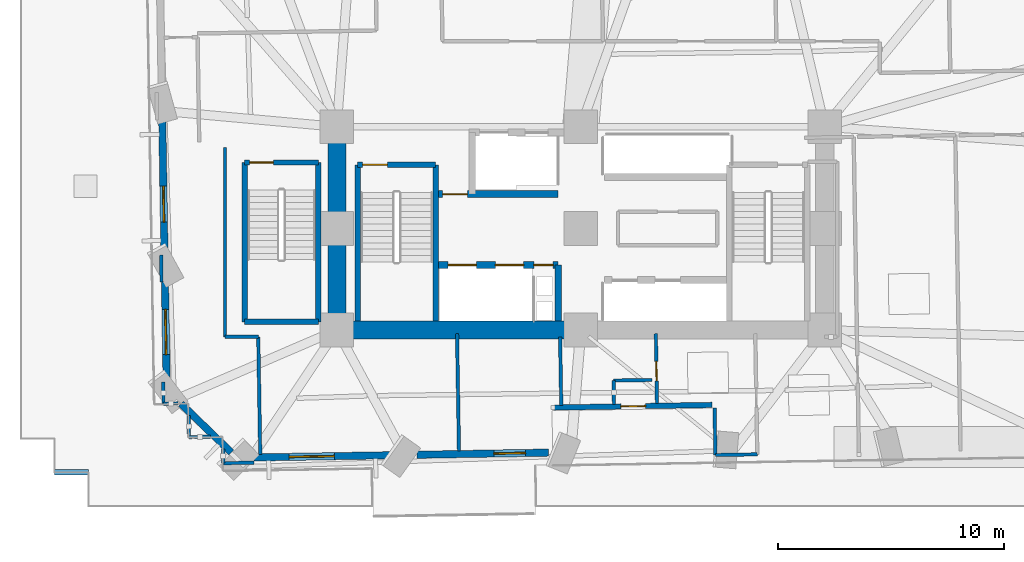
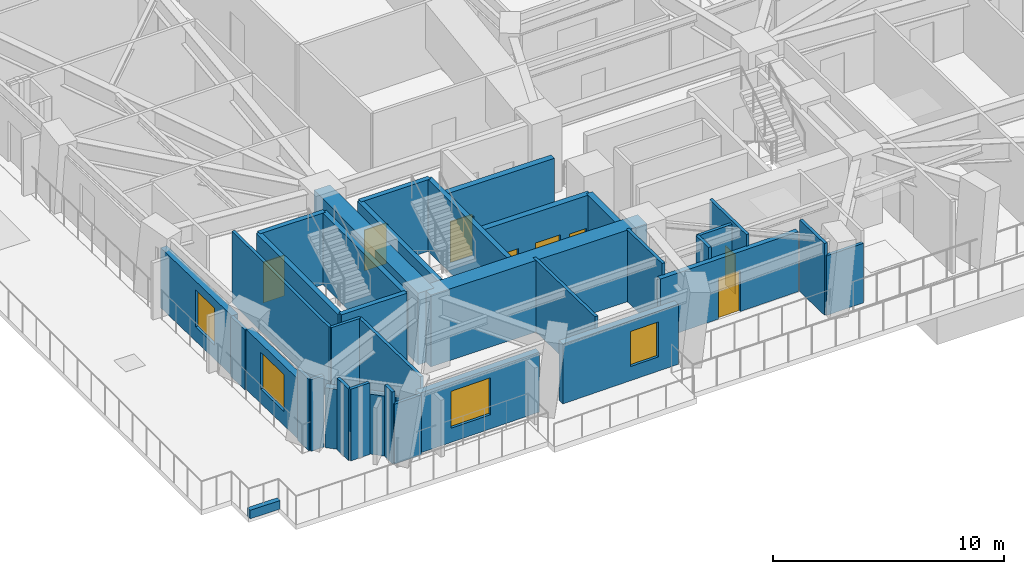
# One storey, part 6 of 17: 36 walls, 8 doors, 4 windows, 12 openings.
"""IFC4 building model written with IfcOpenShell, lengths in metres."""

from ifc_helpers import new_model, si_unit, direction, frame, frame_2d, origin, place, context, subcontext, project, spatial, rectangle, extrude, material, layer, layer_set, type_object, element, fill, save


model = new_model("IFC4")

# Units and contexts
model_context = context("Model", 3, precision=1e-05, world=origin(), true_north=direction((0.0, 1.0)))
body_context = subcontext(model_context, "Body", "Model", "MODEL_VIEW")
ifc_project = project(units=[si_unit("LENGTHUNIT", "METRE"), si_unit("AREAUNIT", "SQUARE_METRE"), si_unit("VOLUMEUNIT", "CUBIC_METRE"), si_unit("PLANEANGLEUNIT", "RADIAN"), si_unit("MASSUNIT", "GRAM", prefix="KILO")], contexts=[model_context])

# Site, building, storey
site_placement = place(None, origin())
site = spatial("IfcSite", under=ifc_project, at=site_placement, CompositionType="ELEMENT")
building_placement = place(site_placement, origin())
building = spatial("IfcBuilding", under=site, at=building_placement, Name="Gaonmaruhae Medical Tower", CompositionType="ELEMENT")
storey_placement = place(building_placement, frame((0.0, 0.0, 27.0)))
storey = spatial("IfcBuildingStorey", under=building, at=storey_placement, Name="L05", CompositionType="ELEMENT", Elevation=27.0)

# Walls
ifc_material_1 = material(Name="Concrete C60/75", Category="concrete")
ifc_layer_1 = layer(ifc_material_1, 0.800048828125)
ifc_layer_set_1 = layer_set([ifc_layer_1], Name="Concrete C60/75")
wall_type_1 = type_object("IfcWallType", Name="CW-800 Lower Core Shear Wall", PredefinedType="SHEAR", material=ifc_layer_set_1)
wall_1_placement = place(storey_placement, frame((14.0, 7.800048828125, 0.0), z_axis=(0.0, 0.0, 1.0), x_axis=(1.0, 0.0, 0.0)))
element("IfcWall", 1, at=wall_1_placement, inside=storey, type_object=wall_type_1, Name="L05 Core Shear Wall CSW-S1", PredefinedType="SHEAR", context=body_context, shape_type="SweptSolid", body=[
    extrude(rectangle(XDim=10.800048828125, YDim=0.800048828125, at=frame_2d((5.39990234375, 0.0))), origin(), (0.0, 0.0, 1.0), 3.780029296875),
])
wall_2_placement = place(storey_placement, frame((14.0, 16.800048828125, 0.0), z_axis=(0.0, 0.0, 1.0), x_axis=(0.0, -1.0, 0.0)))
element("IfcWall", 2, at=wall_2_placement, inside=storey, type_object=wall_type_1, Name="L05 Core Shear Wall CSW-W1", PredefinedType="SHEAR", context=body_context, shape_type="SweptSolid", body=[
    extrude(rectangle(XDim=9.0, YDim=0.800048828125, at=frame_2d((4.5, 0.0))), origin(), (0.0, 0.0, 1.0), 3.780029296875),
])

# Wall, opening, door
ifc_material_2 = material(Name="Precast concrete C45/55", Category="concrete")
ifc_layer_2 = layer(ifc_material_2, 0.239990234375)
ifc_layer_set_2 = layer_set([ifc_layer_2], Name="Precast concrete C45/55")
wall_type_2 = type_object("IfcWallType", Name="EW-240 Ribbon & Shelter Insulated Precast Wall", PredefinedType="SOLIDWALL", material=ifc_layer_set_2)
wall_3_placement = place(storey_placement, frame((30.602294921875, 4.487548828125, 0.0), z_axis=(0.0, 0.0, 1.0), x_axis=(-0.999862345318, -0.016591877959, 0.0)))
wall_3 = element("IfcWall", 3, at=wall_3_placement, inside=storey, type_object=wall_type_2, Name="L05 Recessed Terrace Enclosure Wall TERB", PredefinedType="SOLIDWALL", context=body_context, shape_type="SweptSolid", body=[
    extrude(rectangle(XDim=6.9599609375, YDim=0.239990234375, at=frame_2d((3.47998046875, 0.0))), origin(), (0.0, 0.0, 1.0), 3.1650390625),
])
opening_1_placement = place(wall_3_placement, frame((2.929931640625, 0.0, 0.0)))
opening_1 = element("IfcOpeningElement", 4, at=opening_1_placement, cuts=wall_3, Name="Opening TD-01", PredefinedType="OPENING", context=body_context, shape_type="SweptSolid", body=[
    extrude(rectangle(XDim=1.10009765625, YDim=2.14990234375, at=frame_2d((0.550048828125, 1.074951171875))), frame((0.0, 0.1298828125, 0.0), z_axis=(0.0, -1.0, 0.0), x_axis=(1.0, 0.0, 0.0)), (0.0, 0.0, 1.0), 0.260009765625),
])
ifc_material_3 = material(Name="Anodised aluminium and toughened safety glass", Category="aluminium")
door_type_1 = type_object("IfcDoorType", Name="TD-01 Terrace & Sky Garden Glazed Door 1100x2150", OperationType="NOTDEFINED", PredefinedType="DOOR", material=ifc_material_3)
door_1_placement = place(opening_1_placement, origin())
door_1 = element("IfcDoor", 5, at=door_1_placement, inside=storey, type_object=door_type_1, Name="L05 Outdoor Terrace Access Door SLB-L05-TER", OperationType="SINGLE_SWING_LEFT", OverallHeight=2.14990234375, OverallWidth=1.10009765625, PredefinedType="DOOR", context=body_context, shape_type="SweptSolid", body=[
    extrude(rectangle(XDim=1.10009765625, YDim=2.14990234375, at=frame_2d((0.550048828125, 1.074951171875))), frame((0.0, 0.02490234375, 0.0), z_axis=(0.0, -1.0, 0.0), x_axis=(1.0, 0.0, 0.0)), (0.0, 0.0, 1.0), 0.050048828125),
])
fill(opening_1, door_1)

# Wall, opening, window
ifc_layer_3 = layer(ifc_material_2, 0.320068359375)
ifc_layer_set_3 = layer_set([ifc_layer_3], Name="Precast concrete C45/55")
wall_type_3 = type_object("IfcWallType", Name="EW-320 Lower Precast Masonry-Frame Facade Wall", PredefinedType="SOLIDWALL", material=ifc_layer_set_3)
wall_4_placement = place(storey_placement, frame((16.36572265625, 2.26123046875, 0.0), z_axis=(0.0, 0.0, 1.0), x_axis=(-0.999862417879, -0.016587504707, 0.0)))
wall_4 = element("IfcWall", 6, at=wall_4_placement, inside=storey, type_object=wall_type_3, Name="L05 Precast Masonry-Frame Wall S01-S02", PredefinedType="SOLIDWALL", context=body_context, shape_type="SweptSolid", body=[
    extrude(rectangle(XDim=6.034423828125, YDim=0.320068359375, at=frame_2d((3.01708984375, 0.0))), origin(), (0.0, 0.0, 1.0), 3.1650390625),
])
opening_2_placement = place(wall_4_placement, frame((2.474365234375, 0.0, 0.75)))
opening_2 = element("IfcOpeningElement", 7, at=opening_2_placement, cuts=wall_4, Name="Opening WN-02", PredefinedType="OPENING", context=body_context, shape_type="SweptSolid", body=[
    extrude(rectangle(XDim=2.0, YDim=1.949951171875, at=frame_2d((1.0, 0.97509765625))), frame((0.0, 0.169921875, 0.0), z_axis=(0.0, -1.0, 0.0), x_axis=(1.0, 0.0, 0.0)), (0.0, 0.0, 1.0), 0.340087890625),
])
ifc_material_4 = material(Name="Anodised aluminium and Low-E double glazing", Category="aluminium")
window_type_1 = type_object("IfcWindowType", Name="WN-02 Double-Bed Ward Punched Window 2000x1950", PartitioningType="SINGLE_PANEL", PredefinedType="WINDOW", material=ifc_material_4)
window_1_placement = place(opening_2_placement, origin())
window_1 = element("IfcWindow", 8, at=window_1_placement, inside=storey, type_object=window_type_1, Name="L05 Modular Facade Window S01", OverallHeight=1.949951171875, OverallWidth=2.0, PartitioningType="SINGLE_PANEL", PredefinedType="WINDOW", context=body_context, shape_type="SweptSolid", body=[
    extrude(rectangle(XDim=2.0, YDim=1.949951171875, at=frame_2d((1.0, 0.97509765625))), frame((0.0, 0.030029296875, 0.0), z_axis=(0.0, -1.0, 0.0), x_axis=(1.0, 0.0, 0.0)), (0.0, 0.0, 1.0), 0.06005859375),
])
fill(opening_2, window_1)

wall_5_placement = place(storey_placement, frame((23.37646484375, 2.37744140625, 0.0), z_axis=(0.0, 0.0, 1.0), x_axis=(-0.999862451212, -0.016585495358, 0.0)))
wall_5 = element("IfcWall", 9, at=wall_5_placement, inside=storey, type_object=wall_type_3, Name="L05 Precast Masonry-Frame Wall S02-S03", PredefinedType="SOLIDWALL", context=body_context, shape_type="SweptSolid", body=[
    extrude(rectangle(XDim=5.8291015625, YDim=0.320068359375, at=frame_2d((2.91455078125, 0.0))), origin(), (0.0, 0.0, 1.0), 3.1650390625),
])
opening_3_placement = place(wall_5_placement, frame((1.02294921875, 0.0, 0.75)))
opening_3 = element("IfcOpeningElement", 10, at=opening_3_placement, cuts=wall_5, Name="Opening WN-03", PredefinedType="OPENING", context=body_context, shape_type="SweptSolid", body=[
    extrude(rectangle(XDim=1.39990234375, YDim=1.85009765625, at=frame_2d((0.699951171875, 0.925048828125))), frame((0.0, 0.169921875, 0.0), z_axis=(0.0, -1.0, 0.0), x_axis=(1.0, 0.0, 0.0)), (0.0, 0.0, 1.0), 0.340087890625),
])
window_type_2 = type_object("IfcWindowType", Name="WN-03 Isolation Ward Punched Window 1400x1850", PartitioningType="SINGLE_PANEL", PredefinedType="WINDOW", material=ifc_material_4)
window_2_placement = place(opening_3_placement, origin())
window_2 = element("IfcWindow", 11, at=window_2_placement, inside=storey, type_object=window_type_2, Name="L05 Modular Facade Window S02", OverallHeight=1.85009765625, OverallWidth=1.39990234375, PartitioningType="SINGLE_PANEL", PredefinedType="WINDOW", context=body_context, shape_type="SweptSolid", body=[
    extrude(rectangle(XDim=1.39990234375, YDim=1.85009765625, at=frame_2d((0.699951171875, 0.925048828125))), frame((0.0, 0.030029296875, 0.0), z_axis=(0.0, -1.0, 0.0), x_axis=(1.0, 0.0, 0.0)), (0.0, 0.0, 1.0), 0.06005859375),
])
fill(opening_3, window_2)

wall_6_placement = place(storey_placement, frame((6.373046875, 11.116943359375, 0.0), z_axis=(0.0, 0.0, 1.0), x_axis=(-0.016568711815, 0.999862729473, 0.0)))
wall_6 = element("IfcWall", 12, at=wall_6_placement, inside=storey, type_object=wall_type_3, Name="L05 Precast Masonry-Frame Wall W05-W06", PredefinedType="SOLIDWALL", context=body_context, shape_type="SweptSolid", body=[
    extrude(rectangle(XDim=5.9970703125, YDim=0.320068359375, at=frame_2d((2.99853515625, 0.0))), origin(), (0.0, 0.0, 1.0), 3.1650390625),
])
opening_4_placement = place(wall_6_placement, frame((1.46240234375, 0.0, 0.75)))
opening_4 = element("IfcOpeningElement", 13, at=opening_4_placement, cuts=wall_6, Name="Opening WN-01", PredefinedType="OPENING", context=body_context, shape_type="SweptSolid", body=[
    extrude(rectangle(XDim=1.60009765625, YDim=1.949951171875, at=frame_2d((0.800048828125, 0.97509765625))), frame((0.0, 0.169921875, 0.0), z_axis=(0.0, -1.0, 0.0), x_axis=(1.0, 0.0, 0.0)), (0.0, 0.0, 1.0), 0.340087890625),
])
window_type_3 = type_object("IfcWindowType", Name="WN-01 Ward Punched Acoustic Window 1600x1950", PartitioningType="SINGLE_PANEL", PredefinedType="WINDOW", material=ifc_material_4)
window_3_placement = place(opening_4_placement, origin())
window_3 = element("IfcWindow", 14, at=window_3_placement, inside=storey, type_object=window_type_3, Name="L05 Modular Facade Window W05", OverallHeight=1.949951171875, OverallWidth=1.60009765625, PartitioningType="SINGLE_PANEL", PredefinedType="WINDOW", context=body_context, shape_type="SweptSolid", body=[
    extrude(rectangle(XDim=1.60009765625, YDim=1.949951171875, at=frame_2d((0.800048828125, 0.97509765625))), frame((0.0, 0.030029296875, 0.0), z_axis=(0.0, -1.0, 0.0), x_axis=(1.0, 0.0, 0.0)), (0.0, 0.0, 1.0), 0.06005859375),
])
fill(opening_4, window_3)

wall_7_placement = place(storey_placement, frame((6.466064453125, 5.50732421875, 0.0), z_axis=(0.0, 0.0, 1.0), x_axis=(-0.016583300878, 0.999862487611, 0.0)))
wall_7 = element("IfcWall", 15, at=wall_7_placement, inside=storey, type_object=wall_type_3, Name="L05 Precast Masonry-Frame Wall W06-W07", PredefinedType="SOLIDWALL", context=body_context, shape_type="SweptSolid", body=[
    extrude(rectangle(XDim=4.41650390625, YDim=0.320068359375, at=frame_2d((2.208251953125, 0.0))), origin(), (0.0, 0.0, 1.0), 3.1650390625),
])
opening_5_placement = place(wall_7_placement, frame((1.210693359375, 0.0, 0.75)))
opening_5 = element("IfcOpeningElement", 16, at=opening_5_placement, cuts=wall_7, Name="Opening WN-02", PredefinedType="OPENING", context=body_context, shape_type="SweptSolid", body=[
    extrude(rectangle(XDim=2.0, YDim=1.949951171875, at=frame_2d((1.0, 0.97509765625))), frame((0.0, 0.169921875, 0.0), z_axis=(0.0, -1.0, 0.0), x_axis=(1.0, 0.0, 0.0)), (0.0, 0.0, 1.0), 0.340087890625),
])
window_4_placement = place(opening_5_placement, origin())
window_4 = element("IfcWindow", 17, at=window_4_placement, inside=storey, type_object=window_type_1, Name="L05 Modular Facade Window W06", OverallHeight=1.949951171875, OverallWidth=2.0, PartitioningType="SINGLE_PANEL", PredefinedType="WINDOW", context=body_context, shape_type="SweptSolid", body=[
    extrude(rectangle(XDim=2.0, YDim=1.949951171875, at=frame_2d((1.0, 0.97509765625))), frame((0.0, 0.030029296875, 0.0), z_axis=(0.0, -1.0, 0.0), x_axis=(1.0, 0.0, 0.0)), (0.0, 0.0, 1.0), 0.06005859375),
])
fill(opening_5, window_4)

# Walls
wall_8_placement = place(storey_placement, frame((9.33203125, 2.380859375, 0.0), z_axis=(0.0, 0.0, 1.0), x_axis=(-0.718746893484, 0.695271819584, 0.0)))
element("IfcWall", 18, at=wall_8_placement, inside=storey, type_object=wall_type_3, Name="L05 Precast Masonry-Frame Wall W07-S01", PredefinedType="SOLIDWALL", context=body_context, shape_type="SweptSolid", body=[
    extrude(rectangle(XDim=3.09912109375, YDim=0.320068359375, at=frame_2d((1.549560546875, 0.0))), origin(), (0.0, 0.0, 1.0), 3.1650390625),
])
ifc_layer_4 = layer(ifc_material_2, 0.239990234375)
ifc_layer_set_4 = layer_set([ifc_layer_4], Name="Precast concrete C45/55")
wall_type_4 = type_object("IfcWallType", Name="PP-240 Sky Garden & Podium Roof Parapet Wall", PredefinedType="PARAPET", material=ifc_layer_set_4)
wall_9_placement = place(storey_placement, frame((3.0, 1.5, 0.0), z_axis=(0.0, 0.0, 1.0), x_axis=(-1.0, 0.0, 0.0)))
element("IfcWall", 19, at=wall_9_placement, inside=storey, type_object=wall_type_4, Name="L05 Terrace Kerb Parapet SLB-L05-PODROOF1", PredefinedType="PARAPET", context=body_context, shape_type="SweptSolid", body=[
    extrude(rectangle(XDim=1.5, YDim=0.239990234375, at=frame_2d((0.75, 0.0))), origin(), (0.0, 0.0, 1.0), 0.449951171875),
])
ifc_material_5 = material(Name="Gypsum board partition", Category="gypsum")
ifc_layer_5 = layer(ifc_material_5, 0.14990234375)
ifc_layer_set_5 = layer_set([ifc_layer_5], Name="Gypsum board partition")
wall_type_5 = type_object("IfcWallType", Name="PW-150 Rated Clinical Corridor Partition", PredefinedType="PARTITIONING", material=ifc_layer_set_5)
wall_10_placement = place(storey_placement, frame((9.050048828125, 15.89208984375, 0.0), z_axis=(0.0, 0.0, 1.0), x_axis=(0.0, -1.0, 0.0)))
element("IfcWall", 20, at=wall_10_placement, inside=storey, type_object=wall_type_5, Name="L05 Interior Partition L05-SUP01-5", PredefinedType="PARTITIONING", context=body_context, shape_type="SweptSolid", body=[
    extrude(rectangle(XDim=8.39208984375, YDim=0.14990234375, at=frame_2d((4.196044921875, 0.0))), origin(), (0.0, 0.0, 1.0), 3.780029296875),
])
wall_11_placement = place(storey_placement, frame((9.050048828125, 7.5, 0.0), z_axis=(0.0, 0.0, 1.0), x_axis=(1.0, 0.0, 0.0)))
element("IfcWall", 21, at=wall_11_placement, inside=storey, type_object=wall_type_5, Name="L05 Interior Partition L05-SUP01-6", PredefinedType="PARTITIONING", context=body_context, shape_type="SweptSolid", body=[
    extrude(rectangle(XDim=1.473876953125, YDim=0.14990234375, at=frame_2d((0.73681640625, 0.0))), origin(), (0.0, 0.0, 1.0), 3.780029296875),
])
wall_12_placement = place(storey_placement, frame((10.52392578125, 7.5, 0.0), z_axis=(0.0, 0.0, 1.0), x_axis=(0.016574384143, -0.999862635461, 0.0)))
element("IfcWall", 22, at=wall_12_placement, inside=storey, type_object=wall_type_5, Name="L05 Interior Partition L05-SUP01-7", PredefinedType="PARTITIONING", context=body_context, shape_type="SweptSolid", body=[
    extrude(rectangle(XDim=5.19970703125, YDim=0.14990234375, at=frame_2d((2.599853515625, 0.0))), origin(), (0.0, 0.0, 1.0), 3.780029296875),
])
wall_13_placement = place(storey_placement, frame((10.3359375, 1.930908203125, 0.0), z_axis=(0.0, 0.0, 1.0), x_axis=(-0.999869485248, -0.016155880372, 0.0)))
element("IfcWall", 23, at=wall_13_placement, inside=storey, type_object=wall_type_5, Name="L05 Interior Partition L05-SUP01-8", PredefinedType="PARTITIONING", context=body_context, shape_type="SweptSolid", body=[
    extrude(rectangle(XDim=1.360107421875, YDim=0.14990234375, at=frame_2d((0.68017578125, 0.0))), origin(), (0.0, 0.0, 1.0), 3.1650390625),
])
wall_14_placement = place(storey_placement, frame((8.97607421875, 1.908935546875, 0.0), z_axis=(0.0, 0.0, 1.0), x_axis=(-0.015682845326, 0.999877016619, 0.0)))
element("IfcWall", 24, at=wall_14_placement, inside=storey, type_object=wall_type_5, Name="L05 Interior Partition L05-SUP01-9", PredefinedType="PARTITIONING", context=body_context, shape_type="SweptSolid", body=[
    extrude(rectangle(XDim=0.63818359375, YDim=0.14990234375, at=frame_2d((0.319091796875, 0.0))), origin(), (0.0, 0.0, 1.0), 3.780029296875),
])
wall_15_placement = place(storey_placement, frame((8.416015625, 3.0791015625, 0.0), z_axis=(0.0, 0.0, 1.0), x_axis=(-0.999875454143, -0.015782148207, 0.0)))
element("IfcWall", 25, at=wall_15_placement, inside=storey, type_object=wall_type_5, Name="L05 Interior Partition L05-SUP01-10", PredefinedType="PARTITIONING", context=body_context, shape_type="SweptSolid", body=[
    extrude(rectangle(XDim=0.958984375, YDim=0.14990234375, at=frame_2d((0.4794921875, 0.0))), origin(), (0.0, 0.0, 1.0), 3.780029296875),
])
wall_16_placement = place(storey_placement, frame((7.45703125, 3.06396484375, 0.0), z_axis=(0.0, 0.0, 1.0), x_axis=(-0.016817193259, 0.999858581006, 0.0)))
element("IfcWall", 26, at=wall_16_placement, inside=storey, type_object=wall_type_5, Name="L05 Interior Partition L05-SUP01-11", PredefinedType="PARTITIONING", context=body_context, shape_type="SweptSolid", body=[
    extrude(rectangle(XDim=0.958251953125, YDim=0.14990234375, at=frame_2d((0.47900390625, 0.0))), origin(), (0.0, 0.0, 1.0), 3.780029296875),
])
wall_17_placement = place(storey_placement, frame((6.970947265625, 4.554931640625, 0.0), z_axis=(0.0, 0.0, 1.0), x_axis=(-0.99987729837, -0.015664871698, 0.0)))
element("IfcWall", 27, at=wall_17_placement, inside=storey, type_object=wall_type_5, Name="L05 Interior Partition L05-SUP01-12", PredefinedType="PARTITIONING", context=body_context, shape_type="SweptSolid", body=[
    extrude(rectangle(XDim=0.638916015625, YDim=0.14990234375, at=frame_2d((0.3193359375, 0.0))), origin(), (0.0, 0.0, 1.0), 3.780029296875),
])
wall_18_placement = place(storey_placement, frame((6.33203125, 4.544921875, 0.0), z_axis=(0.0, 0.0, 1.0), x_axis=(-0.016782986846, 0.999859155758, 0.0)))
element("IfcWall", 28, at=wall_18_placement, inside=storey, type_object=wall_type_5, Name="L05 Interior Partition L05-SUP01-13", PredefinedType="PARTITIONING", context=body_context, shape_type="SweptSolid", body=[
    extrude(rectangle(XDim=0.960205078125, YDim=0.14990234375, at=frame_2d((0.47998046875, 0.0))), origin(), (0.0, 0.0, 1.0), 3.780029296875),
])
wall_19_placement = place(storey_placement, frame((6.242919921875, 9.9208984375, 0.0), z_axis=(0.0, 0.0, 1.0), x_axis=(-0.016763131892, 0.999859488833, 0.0)))
element("IfcWall", 29, at=wall_19_placement, inside=storey, type_object=wall_type_5, Name="L05 Interior Partition L05-SUP01-14", PredefinedType="PARTITIONING", context=body_context, shape_type="SweptSolid", body=[
    extrude(rectangle(XDim=1.1943359375, YDim=0.14990234375, at=frame_2d((0.59716796875, 0.0))), origin(), (0.0, 0.0, 1.0), 3.1650390625),
])
wall_20_placement = place(storey_placement, frame((19.322998046875, 7.639892578125, 0.0), z_axis=(0.0, 0.0, 1.0), x_axis=(0.01654686451, -0.999863091265, 0.0)))
element("IfcWall", 30, at=wall_20_placement, inside=storey, type_object=wall_type_5, Name="L05 Interior Partition L05-SUP03-18", PredefinedType="PARTITIONING", context=body_context, shape_type="SweptSolid", body=[
    extrude(rectangle(XDim=5.193603515625, YDim=0.14990234375, at=frame_2d((2.5966796875, 0.0))), origin(), (0.0, 0.0, 1.0), 3.780029296875),
])

# Wall, opening, door
wall_21_placement = place(storey_placement, frame((28.1240234375, 7.639892578125, 0.0), z_axis=(0.0, 0.0, 1.0), x_axis=(0.016468725329, -0.999864381347, 0.0)))
wall_21 = element("IfcWall", 31, at=wall_21_placement, inside=storey, type_object=wall_type_5, Name="L05 Interior Partition L05-SUP05-20", PredefinedType="PARTITIONING", context=body_context, shape_type="SweptSolid", body=[
    extrude(rectangle(XDim=3.098388671875, YDim=0.14990234375, at=frame_2d((1.54931640625, 0.0))), origin(), (0.0, 0.0, 1.0), 3.780029296875),
])
opening_6_placement = place(wall_21_placement, frame((1.22314453125, 0.0, 0.0)))
opening_6 = element("IfcOpeningElement", 32, at=opening_6_placement, cuts=wall_21, Name="Opening AD-01", PredefinedType="OPENING", context=body_context, shape_type="SweptSolid", body=[
    extrude(rectangle(XDim=0.860107421875, YDim=2.06005859375, at=frame_2d((0.43017578125, 1.030029296875))), frame((0.0, 0.0849609375, 0.0), z_axis=(0.0, -1.0, 0.0), x_axis=(1.0, 0.0, 0.0)), (0.0, 0.0, 1.0), 0.169921875),
])
ifc_material_6 = material(Name="Powder-coated steel access door", Category="steel")
door_type_2 = type_object("IfcDoorType", Name="AD-01 Riser & Closet Access Fire Door 860x2060", OperationType="NOTDEFINED", PredefinedType="DOOR", material=ifc_material_6)
door_2_placement = place(opening_6_placement, origin())
door_2 = element("IfcDoor", 33, at=door_2_placement, inside=storey, type_object=door_type_2, Name="L05 Clinical Biomedical Charting Office Sliding Door", OperationType="SLIDING_TO_LEFT", OverallHeight=2.06005859375, OverallWidth=0.860107421875, PredefinedType="DOOR", context=body_context, shape_type="SweptSolid", body=[
    extrude(rectangle(XDim=0.860107421875, YDim=2.06005859375, at=frame_2d((0.43017578125, 1.030029296875))), frame((0.0, 0.02490234375, 0.0), z_axis=(0.0, -1.0, 0.0), x_axis=(1.0, 0.0, 0.0)), (0.0, 0.0, 1.0), 0.050048828125),
])
fill(opening_6, door_2)

# Walls
wall_22_placement = place(storey_placement, frame((27.9541015625, 5.593994140625, 0.0), z_axis=(0.0, 0.0, 1.0), x_axis=(-0.999863680072, -0.016511246871, 0.0)))
element("IfcWall", 34, at=wall_22_placement, inside=storey, type_object=wall_type_5, Name="L05 Interior Partition L05-SUP05-21", PredefinedType="PARTITIONING", context=body_context, shape_type="SweptSolid", body=[
    extrude(rectangle(XDim=1.700439453125, YDim=0.14990234375, at=frame_2d((0.85009765625, 0.0))), origin(), (0.0, 0.0, 1.0), 3.780029296875),
])
wall_23_placement = place(storey_placement, frame((26.25390625, 5.56591796875, 0.0), z_axis=(0.0, 0.0, 1.0), x_axis=(0.016197828387, -0.999868806572, 0.0)))
element("IfcWall", 35, at=wall_23_placement, inside=storey, type_object=wall_type_5, Name="L05 Interior Partition L05-SUP05-22", PredefinedType="PARTITIONING", context=body_context, shape_type="SweptSolid", body=[
    extrude(rectangle(XDim=1.05517578125, YDim=0.14990234375, at=frame_2d((0.527587890625, 0.0))), origin(), (0.0, 0.0, 1.0), 3.780029296875),
])
wall_24_placement = place(storey_placement, frame((23.93603515625, 4.471923828125, 0.0), z_axis=(0.0, 0.0, 1.0), x_axis=(-0.01684837005, 0.999858056139, 0.0)))
element("IfcWall", 36, at=wall_24_placement, inside=storey, type_object=wall_type_5, Name="L05 Interior Partition L05-SUP05-23", PredefinedType="PARTITIONING", context=body_context, shape_type="SweptSolid", body=[
    extrude(rectangle(XDim=3.028564453125, YDim=0.14990234375, at=frame_2d((1.51416015625, 0.0))), origin(), (0.0, 0.0, 1.0), 3.780029296875),
])
wall_25_placement = place(storey_placement, frame((32.613037109375, 2.301025390625, 0.0), z_axis=(0.0, 0.0, 1.0), x_axis=(-0.999860187766, -0.016721391078, 0.0)))
element("IfcWall", 37, at=wall_25_placement, inside=storey, type_object=wall_type_5, Name="L05 Interior Partition L05-SUP06-25", PredefinedType="PARTITIONING", context=body_context, shape_type="SweptSolid", body=[
    extrude(rectangle(XDim=1.854248046875, YDim=0.14990234375, at=frame_2d((0.92724609375, 0.0))), origin(), (0.0, 0.0, 1.0), 3.14501953125),
])
wall_26_placement = place(storey_placement, frame((30.759033203125, 2.27001953125, 0.0), z_axis=(0.0, 0.0, 1.0), x_axis=(-0.016312383245, 0.999866944225, 0.0)))
element("IfcWall", 38, at=wall_26_placement, inside=storey, type_object=wall_type_5, Name="L05 Interior Partition L05-SUP06-26", PredefinedType="PARTITIONING", context=body_context, shape_type="SweptSolid", body=[
    extrude(rectangle(XDim=2.080322265625, YDim=0.14990234375, at=frame_2d((1.0400390625, 0.0))), origin(), (0.0, 0.0, 1.0), 3.780029296875),
])

# Wall, opening, door
ifc_material_7 = material(Name="Concrete C50/60", Category="concrete")
ifc_layer_6 = layer(ifc_material_7, 0.239990234375)
ifc_layer_set_6 = layer_set([ifc_layer_6], Name="Concrete C50/60")
wall_type_6 = type_object("IfcWallType", Name="SW-240 Dogleg Stair Tight Shaft Wall", PredefinedType="SOLIDWALL", material=ifc_layer_set_6)
wall_27_placement = place(storey_placement, frame((14.919921875, 15.1201171875, 0.0), z_axis=(0.0, 0.0, 1.0), x_axis=(1.0, 0.0, 0.0)))
wall_27 = element("IfcWall", 39, at=wall_27_placement, inside=storey, type_object=wall_type_6, Name="L05 ST-01 Stair Shaft Wall SHW-ST-01-N", PredefinedType="SOLIDWALL", context=body_context, shape_type="SweptSolid", body=[
    extrude(rectangle(XDim=3.4599609375, YDim=0.239990234375, at=frame_2d((1.72998046875, 0.0))), origin(), (0.0, 0.0, 1.0), 3.780029296875),
])
opening_7_placement = place(wall_27_placement, frame((0.219970703125, 0.0, 0.0)))
opening_7 = element("IfcOpeningElement", 40, at=opening_7_placement, cuts=wall_27, Name="Opening FD-01", PredefinedType="OPENING", context=body_context, shape_type="SweptSolid", body=[
    extrude(rectangle(XDim=1.10009765625, YDim=2.14990234375, at=frame_2d((0.550048828125, 1.074951171875))), frame((0.0, 0.1298828125, 0.0), z_axis=(0.0, -1.0, 0.0), x_axis=(1.0, 0.0, 0.0)), (0.0, 0.0, 1.0), 0.260009765625),
])
ifc_material_8 = material(Name="Powder-coated steel fire door", Category="steel")
door_type_3 = type_object("IfcDoorType", Name="FD-01 Escape Stair Protected Fire Door 1100x2150", OperationType="NOTDEFINED", PredefinedType="DOOR", material=ifc_material_8)
door_3_placement = place(opening_7_placement, origin())
door_3 = element("IfcDoor", 41, at=door_3_placement, inside=storey, type_object=door_type_3, Name="L05 ST-01 Protected Escape Stair Door", OperationType="SINGLE_SWING_RIGHT", OverallHeight=2.14990234375, OverallWidth=1.10009765625, PredefinedType="DOOR", context=body_context, shape_type="SweptSolid", body=[
    extrude(rectangle(XDim=1.10009765625, YDim=2.14990234375, at=frame_2d((0.550048828125, 1.074951171875))), frame((0.0, 0.02490234375, 0.0), z_axis=(0.0, -1.0, 0.0), x_axis=(1.0, 0.0, 0.0)), (0.0, 0.0, 1.0), 0.050048828125),
])
fill(opening_7, door_3)

# Walls
for number, where, z_axis, x_axis, name in (
    (42, (18.3798828125, 15.1201171875, 0.0), (0.0, 0.0, 1.0), (0.0, -1.0, 0.0), "L05 ST-01 Stair Shaft Wall SHW-ST-01-E"),
    (43, (14.919921875, 8.199951171875, 0.0), (0.0, 0.0, 1.0), (0.0, 1.0, 0.0), "L05 ST-01 Stair Shaft Wall SHW-ST-01-W"),
):
    element("IfcWall", number, at=place(storey_placement, frame(where, z_axis=z_axis, x_axis=x_axis)), inside=storey, type_object=wall_type_6, Name=name, PredefinedType="SOLIDWALL", context=body_context, shape_type="SweptSolid", body=[
        extrude(rectangle(XDim=6.920166015625, YDim=0.239990234375, at=frame_2d((3.4599609375, 0.0))), origin(), (0.0, 0.0, 1.0), 3.780029296875),
    ])

# Wall, opening, door
wall_28_placement = place(storey_placement, frame((9.919921875, 15.219970703125, 0.0), z_axis=(0.0, 0.0, 1.0), x_axis=(1.0, 0.0, 0.0)))
wall_28 = element("IfcWall", 44, at=wall_28_placement, inside=storey, type_object=wall_type_6, Name="L05 ST-03 Stair Shaft Wall SHW-ST-03-N", PredefinedType="SOLIDWALL", context=body_context, shape_type="SweptSolid", body=[
    extrude(rectangle(XDim=3.260009765625, YDim=0.239990234375, at=frame_2d((1.6298828125, 0.0))), origin(), (0.0, 0.0, 1.0), 3.780029296875),
])
opening_8_placement = place(wall_28_placement, frame((0.219970703125, 0.0, 0.0)))
opening_8 = element("IfcOpeningElement", 45, at=opening_8_placement, cuts=wall_28, Name="Opening FD-02", PredefinedType="OPENING", context=body_context, shape_type="SweptSolid", body=[
    extrude(rectangle(XDim=1.050048828125, YDim=2.14990234375, at=frame_2d((0.52490234375, 1.074951171875))), frame((0.0, 0.1298828125, 0.0), z_axis=(0.0, -1.0, 0.0), x_axis=(1.0, 0.0, 0.0)), (0.0, 0.0, 1.0), 0.260009765625),
])
door_type_4 = type_object("IfcDoorType", Name="FD-02 Secondary Stair Fire Door 1050x2150", OperationType="NOTDEFINED", PredefinedType="DOOR", material=ifc_material_8)
door_4_placement = place(opening_8_placement, origin())
door_4 = element("IfcDoor", 46, at=door_4_placement, inside=storey, type_object=door_type_4, Name="L05 ST-03 Protected Escape Stair Door", OperationType="SINGLE_SWING_RIGHT", OverallHeight=2.14990234375, OverallWidth=1.050048828125, PredefinedType="DOOR", context=body_context, shape_type="SweptSolid", body=[
    extrude(rectangle(XDim=1.050048828125, YDim=2.14990234375, at=frame_2d((0.52490234375, 1.074951171875))), frame((0.0, 0.02490234375, 0.0), z_axis=(0.0, -1.0, 0.0), x_axis=(1.0, 0.0, 0.0)), (0.0, 0.0, 1.0), 0.050048828125),
])
fill(opening_8, door_4)

# Walls
wall_29_placement = place(storey_placement, frame((13.179931640625, 15.219970703125, 0.0), z_axis=(0.0, 0.0, 1.0), x_axis=(0.0, -1.0, 0.0)))
element("IfcWall", 47, at=wall_29_placement, inside=storey, type_object=wall_type_6, Name="L05 ST-03 Stair Shaft Wall SHW-ST-03-E", PredefinedType="SOLIDWALL", context=body_context, shape_type="SweptSolid", body=[
    extrude(rectangle(XDim=7.050048828125, YDim=0.239990234375, at=frame_2d((3.52490234375, 0.0))), origin(), (0.0, 0.0, 1.0), 3.780029296875),
])
wall_30_placement = place(storey_placement, frame((13.179931640625, 8.169921875, 0.0), z_axis=(0.0, 0.0, 1.0), x_axis=(-1.0, 0.0, 0.0)))
element("IfcWall", 48, at=wall_30_placement, inside=storey, type_object=wall_type_6, Name="L05 ST-03 Stair Shaft Wall SHW-ST-03-S", PredefinedType="SOLIDWALL", context=body_context, shape_type="SweptSolid", body=[
    extrude(rectangle(XDim=3.260009765625, YDim=0.239990234375, at=frame_2d((1.6298828125, 0.0))), origin(), (0.0, 0.0, 1.0), 3.780029296875),
])
wall_31_placement = place(storey_placement, frame((9.919921875, 8.169921875, 0.0), z_axis=(0.0, 0.0, 1.0), x_axis=(0.0, 1.0, 0.0)))
element("IfcWall", 49, at=wall_31_placement, inside=storey, type_object=wall_type_6, Name="L05 ST-03 Stair Shaft Wall SHW-ST-03-W", PredefinedType="SOLIDWALL", context=body_context, shape_type="SweptSolid", body=[
    extrude(rectangle(XDim=7.050048828125, YDim=0.239990234375, at=frame_2d((3.52490234375, 0.0))), origin(), (0.0, 0.0, 1.0), 3.780029296875),
])

# Wall, openings, doors
ifc_layer_7 = layer(ifc_material_7, 0.300048828125)
ifc_layer_set_7 = layer_set([ifc_layer_7], Name="Concrete C50/60")
wall_type_7 = type_object("IfcWallType", Name="SW-300 Stair & Lift Hoistway Shaft Wall", PredefinedType="SOLIDWALL", material=ifc_layer_set_7)
wall_32_placement = place(storey_placement, frame((18.5, 10.679931640625, 0.0), z_axis=(0.0, 0.0, 1.0), x_axis=(1.0, 0.0, 0.0)))
wall_32 = element("IfcWall", 50, at=wall_32_placement, inside=storey, type_object=wall_type_7, Name="L05 Shaft Enclosure Wall SHW-FFN", PredefinedType="SOLIDWALL", context=body_context, shape_type="SweptSolid", body=[
    extrude(rectangle(XDim=5.300048828125, YDim=0.300048828125, at=frame_2d((2.64990234375, 0.0))), origin(), (0.0, 0.0, 1.0), 3.780029296875),
])
opening_9_placement = place(wall_32_placement, frame((4.219970703125, 0.0, 0.0)))
opening_9 = element("IfcOpeningElement", 51, at=opening_9_placement, cuts=wall_32, Name="Opening AD-01", PredefinedType="OPENING", context=body_context, shape_type="SweptSolid", body=[
    extrude(rectangle(XDim=0.860107421875, YDim=2.06005859375, at=frame_2d((0.43017578125, 1.030029296875))), frame((0.0, 0.16015625, 0.0), z_axis=(0.0, -1.0, 0.0), x_axis=(1.0, 0.0, 0.0)), (0.0, 0.0, 1.0), 0.320068359375),
])
opening_10_placement = place(wall_32_placement, frame((0.425048828125, 0.0, 0.0)))
opening_10 = element("IfcOpeningElement", 52, at=opening_10_placement, cuts=wall_32, Name="Opening LD-F1", PredefinedType="OPENING", context=body_context, shape_type="SweptSolid", body=[
    extrude(rectangle(XDim=1.25, YDim=2.179931640625, at=frame_2d((0.625, 1.08984375))), frame((0.0, 0.16015625, 0.0), z_axis=(0.0, -1.0, 0.0), x_axis=(1.0, 0.0, 0.0)), (0.0, 0.0, 1.0), 0.320068359375),
])
opening_11_placement = place(wall_32_placement, frame((2.52490234375, 0.0, 0.0)))
opening_11 = element("IfcOpeningElement", 53, at=opening_11_placement, cuts=wall_32, Name="Opening LD-F1", PredefinedType="OPENING", context=body_context, shape_type="SweptSolid", body=[
    extrude(rectangle(XDim=1.25, YDim=2.179931640625, at=frame_2d((0.625, 1.08984375))), frame((0.0, 0.16015625, 0.0), z_axis=(0.0, -1.0, 0.0), x_axis=(1.0, 0.0, 0.0)), (0.0, 0.0, 1.0), 0.320068359375),
])
door_5_placement = place(opening_9_placement, origin())
door_5 = element("IfcDoor", 54, at=door_5_placement, inside=storey, type_object=door_type_2, Name="L05 Medical Gas and MEP Riser Access Door", OperationType="SINGLE_SWING_RIGHT", OverallHeight=2.06005859375, OverallWidth=0.860107421875, PredefinedType="DOOR", context=body_context, shape_type="SweptSolid", body=[
    extrude(rectangle(XDim=0.860107421875, YDim=2.06005859375, at=frame_2d((0.43017578125, 1.030029296875))), frame((0.0, 0.02490234375, 0.0), z_axis=(0.0, -1.0, 0.0), x_axis=(1.0, 0.0, 0.0)), (0.0, 0.0, 1.0), 0.050048828125),
])
fill(opening_9, door_5)
ifc_material_9 = material(Name="Brushed stainless steel 316L landing door", Category="steel")
door_type_5 = type_object("IfcDoorType", Name="LD-F1 Firefighting & Bed Lift Sliding Landing Door 1250x2180", OperationType="NOTDEFINED", PredefinedType="DOOR", material=ifc_material_9)
door_6_placement = place(opening_10_placement, origin())
door_6 = element("IfcDoor", 55, at=door_6_placement, inside=storey, type_object=door_type_5, Name="L05 Firefighting Lift Landing Door FFL-01", OperationType="DOUBLE_DOOR_SLIDING", OverallHeight=2.179931640625, OverallWidth=1.25, PredefinedType="DOOR", context=body_context, shape_type="SweptSolid", body=[
    extrude(rectangle(XDim=1.25, YDim=2.179931640625, at=frame_2d((0.625, 1.08984375))), frame((0.0, 0.02490234375, 0.0), z_axis=(0.0, -1.0, 0.0), x_axis=(1.0, 0.0, 0.0)), (0.0, 0.0, 1.0), 0.050048828125),
])
fill(opening_10, door_6)
door_7_placement = place(opening_11_placement, origin())
door_7 = element("IfcDoor", 56, at=door_7_placement, inside=storey, type_object=door_type_5, Name="L05 Firefighting Lift Landing Door FFL-02", OperationType="DOUBLE_DOOR_SLIDING", OverallHeight=2.179931640625, OverallWidth=1.25, PredefinedType="DOOR", context=body_context, shape_type="SweptSolid", body=[
    extrude(rectangle(XDim=1.25, YDim=2.179931640625, at=frame_2d((0.625, 1.08984375))), frame((0.0, 0.02490234375, 0.0), z_axis=(0.0, -1.0, 0.0), x_axis=(1.0, 0.0, 0.0)), (0.0, 0.0, 1.0), 0.050048828125),
])
fill(opening_11, door_7)

# Wall, opening, door
wall_33_placement = place(storey_placement, frame((18.5, 13.820068359375, 0.0), z_axis=(0.0, 0.0, 1.0), x_axis=(1.0, 0.0, 0.0)))
wall_33 = element("IfcWall", 57, at=wall_33_placement, inside=storey, type_object=wall_type_7, Name="L05 Shaft Enclosure Wall SHW-FFL", PredefinedType="SOLIDWALL", context=body_context, shape_type="SweptSolid", body=[
    extrude(rectangle(XDim=5.300048828125, YDim=0.300048828125, at=frame_2d((2.64990234375, 0.0))), origin(), (0.0, 0.0, 1.0), 3.780029296875),
])
opening_12_placement = place(wall_33_placement, frame((0.179931640625, 0.0, 0.0)))
opening_12 = element("IfcOpeningElement", 58, at=opening_12_placement, cuts=wall_33, Name="Opening FD-01", PredefinedType="OPENING", context=body_context, shape_type="SweptSolid", body=[
    extrude(rectangle(XDim=1.10009765625, YDim=2.14990234375, at=frame_2d((0.550048828125, 1.074951171875))), frame((0.0, 0.16015625, 0.0), z_axis=(0.0, -1.0, 0.0), x_axis=(1.0, 0.0, 0.0)), (0.0, 0.0, 1.0), 0.320068359375),
])
door_8_placement = place(opening_12_placement, origin())
door_8 = element("IfcDoor", 59, at=door_8_placement, inside=storey, type_object=door_type_3, Name="L05 Firefighting Lobby Smoke Door", OperationType="SINGLE_SWING_LEFT", OverallHeight=2.14990234375, OverallWidth=1.10009765625, PredefinedType="DOOR", context=body_context, shape_type="SweptSolid", body=[
    extrude(rectangle(XDim=1.10009765625, YDim=2.14990234375, at=frame_2d((0.550048828125, 1.074951171875))), frame((0.0, 0.02490234375, 0.0), z_axis=(0.0, -1.0, 0.0), x_axis=(1.0, 0.0, 0.0)), (0.0, 0.0, 1.0), 0.050048828125),
])
fill(opening_12, door_8)

# Wall
wall_34_placement = place(storey_placement, frame((23.800048828125, 8.199951171875, 0.0), z_axis=(0.0, 0.0, 1.0), x_axis=(0.0, 1.0, 0.0)))
element("IfcWall", 60, at=wall_34_placement, inside=storey, type_object=wall_type_7, Name="L05 Shaft Enclosure Wall SHW-FFE", PredefinedType="SOLIDWALL", context=body_context, shape_type="SweptSolid", body=[
    extrude(rectangle(XDim=2.47998046875, YDim=0.300048828125, at=frame_2d((1.239990234375, 0.0))), origin(), (0.0, 0.0, 1.0), 3.780029296875),
])

save(model, "model.ifc")
